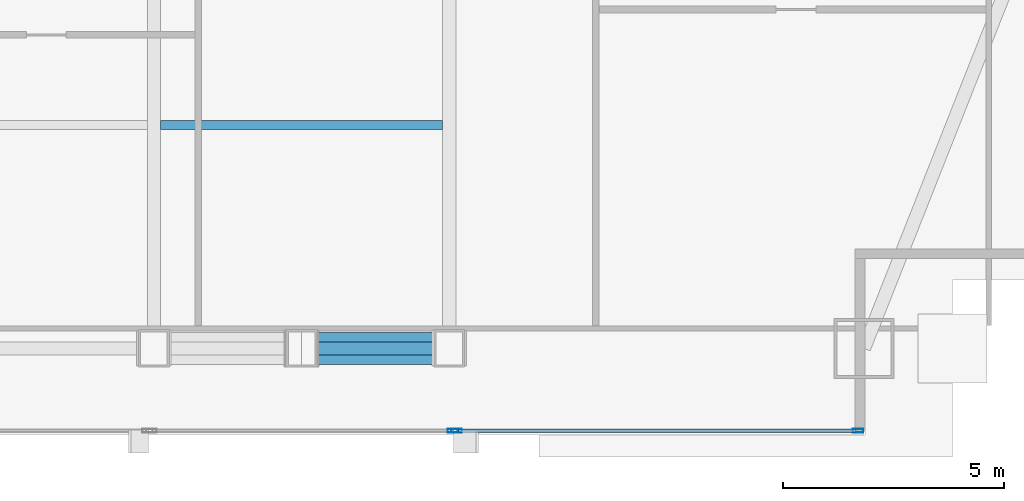
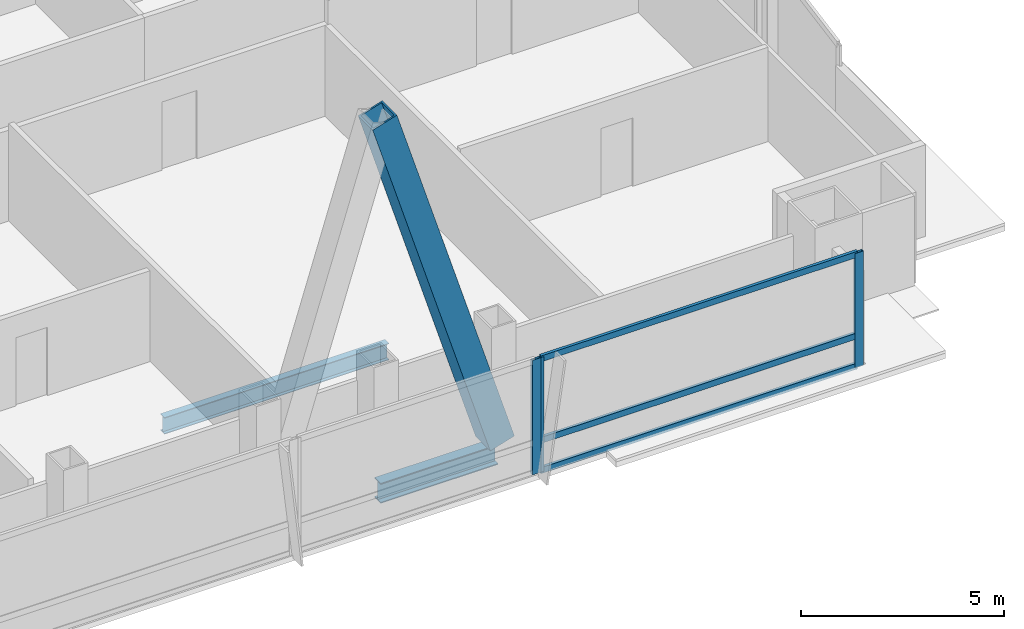
# One storey, part 14 of 30: 7 members, 2 beams, 2 elements without a shape of their own.
"""IFC4 building model written with IfcOpenShell, lengths in metres."""

from ifc_helpers import new_model, si_unit, direction, frame, origin, origin_2d, place, context, subcontext, project, spatial, hollow_rectangle, i_section, extrude, material, material_profile, profile_set, type_object, element, aggregate, save


model = new_model("IFC4")

# Units and contexts
model_context = context("Model", 3, precision=1e-05, world=origin(), true_north=direction((0.0, 1.0)))
body_context = subcontext(model_context, "Body", "Model", "MODEL_VIEW")
ifc_project = project(units=[si_unit("LENGTHUNIT", "METRE"), si_unit("AREAUNIT", "SQUARE_METRE"), si_unit("VOLUMEUNIT", "CUBIC_METRE"), si_unit("PLANEANGLEUNIT", "RADIAN"), si_unit("MASSUNIT", "GRAM", prefix="KILO")], contexts=[model_context])

# Site, building, storey
site_placement = place(None, origin())
site = spatial("IfcSite", under=ifc_project, at=site_placement, CompositionType="ELEMENT")
building_placement = place(site_placement, origin())
building = spatial("IfcBuilding", under=site, at=building_placement, Name="Khoronbel Lancet Exchange", CompositionType="ELEMENT")
storey_placement = place(building_placement, frame((0.0, 0.0, 136.199951171875)))
storey = spatial("IfcBuildingStorey", under=building, at=storey_placement, Name="L33", CompositionType="ELEMENT", Elevation=136.199951171875)

# Beams
ifc_material_1 = material(Name="Steel S355", Category="steel")
ifc_material_profile_1 = material_profile(ifc_material_1, i_section(OverallWidth=0.199951171875, OverallDepth=0.5, WebThickness=0.01025390625, FlangeThickness=0.01611328125, at=origin_2d()), Name="IPE 500")
ifc_profile_set_1 = profile_set([ifc_material_profile_1], Name="Steel S355")
beam_type_1 = type_object("IfcBeamType", Name="BM-BJ3", PredefinedType="JOIST", material=ifc_profile_set_1)
beam_1_placement = place(storey_placement, frame((48.14990234375, 15.199951171875, -0.409912109375), z_axis=(1.0, 0.0, 0.0), x_axis=(0.0, 1.0, 0.0)))
element("IfcBeam", 1, at=beam_1_placement, inside=storey, type_object=beam_type_1, Name="Level L33 secondary composite joist J05", PredefinedType="JOIST", context=body_context, shape_type="SweptSolid", body=[
    extrude(i_section(OverallWidth=0.199951171875, OverallDepth=0.5, WebThickness=0.01025390625, FlangeThickness=0.01611328125, at=origin_2d()), origin(), (0.0, 0.0, 1.0), 6.375),
])
ifc_material_profile_2 = material_profile(ifc_material_1, i_section(OverallWidth=0.300048828125, OverallDepth=0.60009765625, WebThickness=0.015380859375, FlangeThickness=0.030029296875, at=origin_2d()), Name="HEB 600")
ifc_profile_set_2 = profile_set([ifc_material_profile_2], Name="Steel S355")
beam_type_2 = type_object("IfcBeamType", Name="BM-BSP2", PredefinedType="SPANDREL", material=ifc_profile_set_2)
beam_2_placement = place(storey_placement, frame((51.33740234375, 10.14990234375, -0.4599609375), z_axis=(1.0, 0.0, 0.0), x_axis=(0.0, 1.0, 0.0)))
element("IfcBeam", 2, at=beam_2_placement, inside=storey, type_object=beam_type_2, Name="Level L33 perimeter spandrel beam SP07", PredefinedType="SPANDREL", context=body_context, shape_type="SweptSolid", body=[
    extrude(i_section(OverallWidth=0.300048828125, OverallDepth=0.60009765625, WebThickness=0.015380859375, FlangeThickness=0.030029296875, at=origin_2d()), origin(), (0.0, 0.0, 1.0), 3.337646484375),
])

# Curtain wall, member
ifc_material_2 = material(Name="Low-E Solar Control Insulating Glass", Category="glass")
curtain_wall_type = type_object("IfcCurtainWallType", Name="CW-3", PredefinedType="NOTDEFINED", material=ifc_material_2)
curtain_wall_1_placement = place(storey_placement, origin())
curtain_wall_1 = element("IfcCurtainWall", 3, at=curtain_wall_1_placement, inside=storey, type_object=curtain_wall_type, Name="Unitised curtain wall CW-L33-SEB", PredefinedType="NOTDEFINED")
ifc_material_3 = material(Name="Bronze-Anodised Aluminium 6063-T6", Category="aluminium")
ifc_material_profile_3 = material_profile(ifc_material_3, hollow_rectangle(XDim=0.0849609375, YDim=0.239990234375, WallThickness=0.006103515625, at=origin_2d()), Name="ALU MULLION 85x240")
ifc_profile_set_3 = profile_set([ifc_material_profile_3], Name="Bronze-Anodised Aluminium 6063-T6")
member_type_1 = type_object("IfcMemberType", Name="MEM-CWM1", PredefinedType="MULLION", material=ifc_profile_set_3)
member_1_placement = place(storey_placement, frame((54.757568359375, 8.2900390625, 0.0), z_axis=(0.0, 0.0, 1.0), x_axis=(0.0, 1.0, 0.0)))
member_1 = element("IfcMember", 4, at=member_1_placement, type_object=member_type_1, Name="CW3 mullion 2", PredefinedType="MULLION", context=body_context, shape_type="SweptSolid", body=[
    extrude(hollow_rectangle(XDim=0.0849609375, YDim=0.239990234375, WallThickness=0.006103515625, at=origin_2d()), origin(), (0.0, 0.0, 1.0), 3.43994140625),
])
aggregate(curtain_wall_1, [member_1])

# Curtain wall, members
curtain_wall_2_placement = place(storey_placement, origin())
curtain_wall_2 = element("IfcCurtainWall", 5, at=curtain_wall_2_placement, inside=storey, type_object=curtain_wall_type, Name="Unitised curtain wall CW-L33-SEV", PredefinedType="NOTDEFINED")
member_2_placement = place(storey_placement, frame((54.842529296875, 8.2900390625, 0.0), z_axis=(0.0, 0.0, 1.0), x_axis=(0.0, 1.0, 0.0)))
member_2 = element("IfcMember", 6, at=member_2_placement, type_object=member_type_1, Name="CW3 mullion 1", PredefinedType="MULLION", context=body_context, shape_type="SweptSolid", body=[
    extrude(hollow_rectangle(XDim=0.0849609375, YDim=0.239990234375, WallThickness=0.006103515625, at=origin_2d()), origin(), (0.0, 0.0, 1.0), 3.43994140625),
])
member_3_placement = place(storey_placement, frame((63.91748046875, 8.2900390625, 0.0), z_axis=(0.0, 0.0, 1.0), x_axis=(0.0, 1.0, 0.0)))
member_3 = element("IfcMember", 7, at=member_3_placement, type_object=member_type_1, Name="CW3 mullion 2", PredefinedType="MULLION", context=body_context, shape_type="SweptSolid", body=[
    extrude(hollow_rectangle(XDim=0.0849609375, YDim=0.239990234375, WallThickness=0.006103515625, at=origin_2d()), origin(), (0.0, 0.0, 1.0), 3.43994140625),
])
ifc_material_profile_4 = material_profile(ifc_material_3, hollow_rectangle(XDim=0.0849609375, YDim=0.179931640625, WallThickness=0.0048828125, at=origin_2d()), Name="ALU TRANSOM 85x180")
ifc_profile_set_4 = profile_set([ifc_material_profile_4], Name="Bronze-Anodised Aluminium 6063-T6")
member_type_2 = type_object("IfcMemberType", Name="MEM-CWT1", PredefinedType="USERDEFINED", material=ifc_profile_set_4)
member_4_placement = place(storey_placement, frame((54.885009765625, 8.2900390625, 0.04248046875), z_axis=(1.0, 0.0, 0.0), x_axis=(0.0, 1.0, 0.0)))
member_4 = element("IfcMember", 8, at=member_4_placement, type_object=member_type_2, Name="CW3 transom 1.1", ObjectType="TRANSOM", PredefinedType="USERDEFINED", context=body_context, shape_type="SweptSolid", body=[
    extrude(hollow_rectangle(XDim=0.0849609375, YDim=0.179931640625, WallThickness=0.0048828125, at=origin_2d()), origin(), (0.0, 0.0, 1.0), 8.989990234375),
])
member_5_placement = place(storey_placement, frame((54.885009765625, 8.2900390625, 0.949951171875), z_axis=(1.0, 0.0, 0.0), x_axis=(0.0, 1.0, 0.0)))
member_5 = element("IfcMember", 9, at=member_5_placement, type_object=member_type_2, Name="CW3 transom 1.2", ObjectType="TRANSOM", PredefinedType="USERDEFINED", context=body_context, shape_type="SweptSolid", body=[
    extrude(hollow_rectangle(XDim=0.0849609375, YDim=0.179931640625, WallThickness=0.0048828125, at=origin_2d()), origin(), (0.0, 0.0, 1.0), 8.989990234375),
])
member_6_placement = place(storey_placement, frame((54.885009765625, 8.2900390625, 3.3974609375), z_axis=(1.0, 0.0, 0.0), x_axis=(0.0, 1.0, 0.0)))
member_6 = element("IfcMember", 10, at=member_6_placement, type_object=member_type_2, Name="CW3 transom 1.3", ObjectType="TRANSOM", PredefinedType="USERDEFINED", context=body_context, shape_type="SweptSolid", body=[
    extrude(hollow_rectangle(XDim=0.0849609375, YDim=0.179931640625, WallThickness=0.0048828125, at=origin_2d()), origin(), (0.0, 0.0, 1.0), 8.989990234375),
])
aggregate(curtain_wall_2, [member_2, member_3, member_4, member_5, member_6])

# Member
ifc_material_4 = material(Name="Steel S460", Category="steel")
ifc_material_profile_5 = material_profile(ifc_material_4, hollow_rectangle(XDim=0.719970703125, YDim=0.719970703125, WallThickness=0.050048828125, at=origin_2d()), Name="BOX 720x720x50")
ifc_profile_set_5 = profile_set([ifc_material_profile_5], Name="Steel S460")
member_type_3 = type_object("IfcMemberType", Name="MEM-MB2", PredefinedType="BRACE", material=ifc_profile_set_5)
member_7_placement = place(storey_placement, frame((54.675048828125, 10.14990234375, 0.0), z_axis=(-0.295261823895, 0.0, 0.955416378), x_axis=(0.0, -1.0, 0.0)))
element("IfcMember", 11, at=member_7_placement, inside=storey, type_object=member_type_3, Name="Perimeter lancet brace tier 11 S-E-R", PredefinedType="BRACE", context=body_context, shape_type="SweptSolid", body=[
    extrude(hollow_rectangle(XDim=0.719970703125, YDim=0.719970703125, WallThickness=0.050048828125, at=origin_2d()), origin(), (0.0, 0.0, 1.0), 11.303955078125),
])

save(model, "model.ifc")
